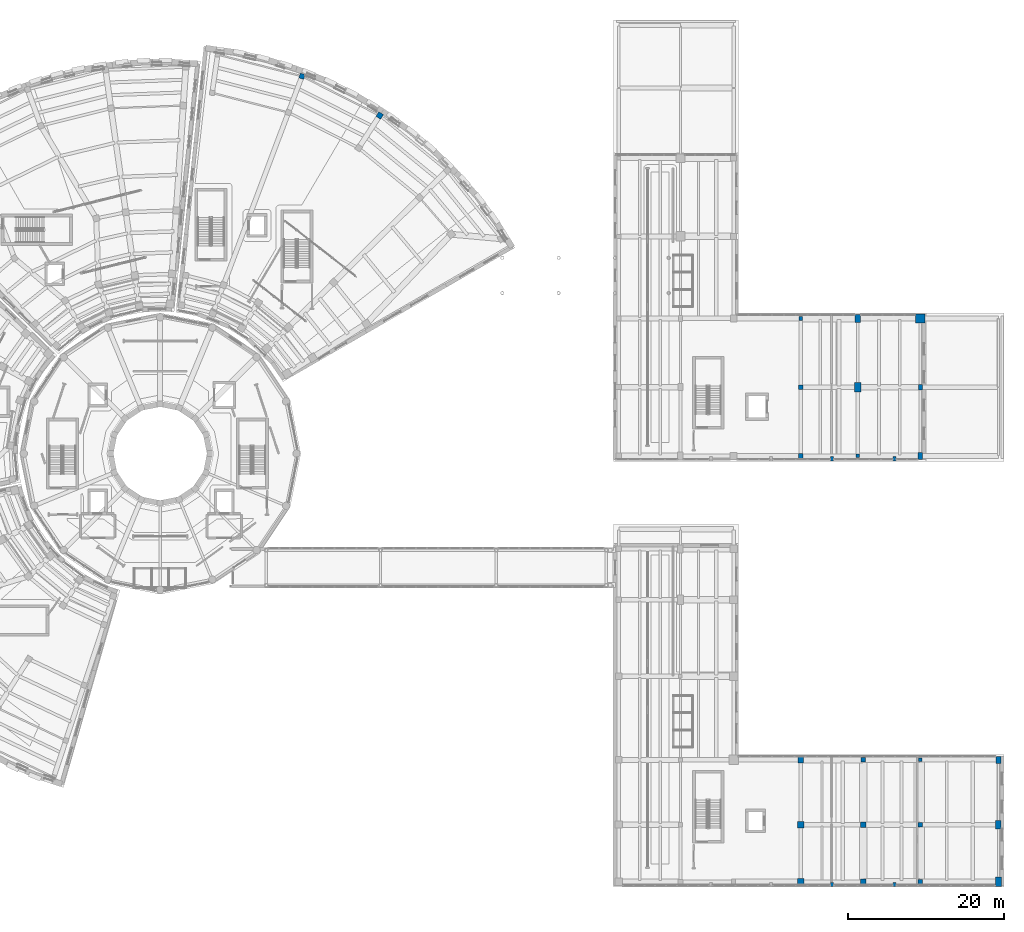
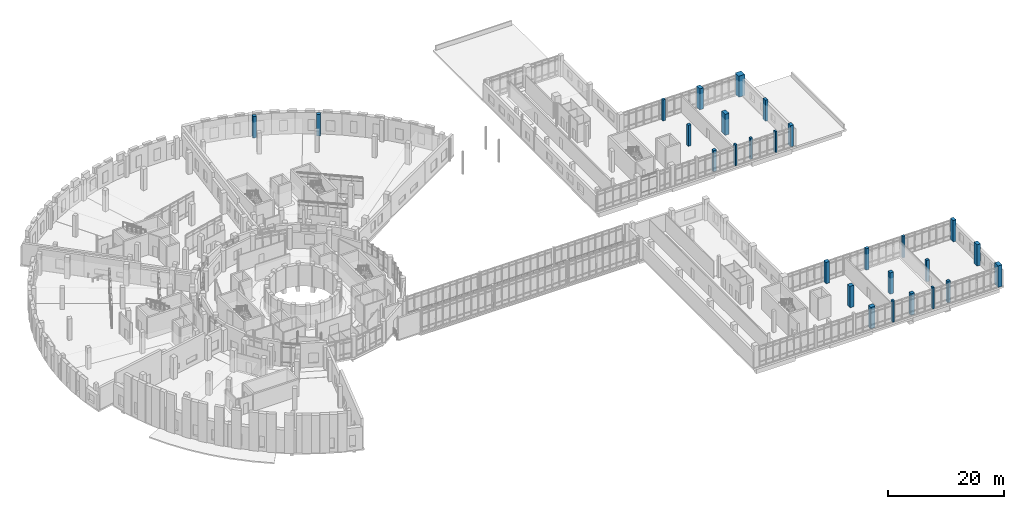
# One storey, part 8 of 89: 27 columns.
"""IFC4 building model written with IfcOpenShell, lengths in metres."""

from ifc_helpers import new_model, si_unit, direction, frame, origin, origin_2d, place, context, subcontext, project, spatial, rectangle, extrude, material, material_profile, profile_set, type_object, element, save


model = new_model("IFC4")

# Units and contexts
model_context = context("Model", 3, precision=1e-05, world=origin(), true_north=direction((0.0, 1.0)))
body_context = subcontext(model_context, "Body", "Model", "MODEL_VIEW")
ifc_project = project(units=[si_unit("LENGTHUNIT", "METRE"), si_unit("AREAUNIT", "SQUARE_METRE"), si_unit("VOLUMEUNIT", "CUBIC_METRE"), si_unit("PLANEANGLEUNIT", "RADIAN"), si_unit("MASSUNIT", "GRAM", prefix="KILO")], contexts=[model_context])

# Site, building, storey
site_placement = place(None, origin())
site = spatial("IfcSite", under=ifc_project, at=site_placement, CompositionType="ELEMENT")
building_placement = place(site_placement, origin())
building = spatial("IfcBuilding", under=site, at=building_placement, Name="Soyqirgoq Riverine Aquarium", CompositionType="ELEMENT")
storey_placement = place(building_placement, frame((0.0, 0.0, 5.39990234375)))
storey = spatial("IfcBuildingStorey", under=building, at=storey_placement, Name="L02", CompositionType="ELEMENT", Elevation=5.39990234375)

# Columns
ifc_material_1 = material(Name="Waterproof concrete C45/55", Category="concrete")
ifc_material_profile_1 = material_profile(ifc_material_1, rectangle(XDim=1.199951171875, YDim=1.199951171875, at=origin_2d()), Name="RC 1200x1200")
ifc_profile_set_1 = profile_set([ifc_material_profile_1], Name="Waterproof concrete C45/55")
column_type_1 = type_object("IfcColumnType", Name="Col_RC_1200x1200", PredefinedType="COLUMN", material=ifc_profile_set_1)
column_1_placement = place(storey_placement, frame((153.300048828125, 74.300048828125, 0.0), z_axis=(0.0, 0.0, 1.0), x_axis=(1.0, 0.0, 0.0)))
element("IfcColumn", 1, at=column_1_placement, inside=storey, type_object=column_type_1, Name="V7 Column V7-C-29 L02", PredefinedType="COLUMN", context=body_context, shape_type="SweptSolid", body=[
    extrude(rectangle(XDim=1.199951171875, YDim=1.199951171875, at=origin_2d()), origin(), (0.0, 0.0, 1.0), 4.4501953125),
])
ifc_material_2 = material(Name="Concrete C40/50", Category="concrete")
ifc_material_profile_2 = material_profile(ifc_material_2, rectangle(XDim=0.449951171875, YDim=0.449951171875, at=origin_2d()), Name="RC 450x450")
ifc_profile_set_2 = profile_set([ifc_material_profile_2], Name="Concrete C40/50")
column_type_2 = type_object("IfcColumnType", Name="Col_RC_450x450", PredefinedType="COLUMN", material=ifc_profile_set_2)
column_2_placement = place(storey_placement, frame((153.300048828125, 17.800048828125, 0.0), z_axis=(0.0, 0.0, 1.0), x_axis=(1.0, 0.0, 0.0)))
element("IfcColumn", 2, at=column_2_placement, inside=storey, type_object=column_type_2, Name="V6 Column V6-C-29 L02", PredefinedType="COLUMN", context=body_context, shape_type="SweptSolid", body=[
    extrude(rectangle(XDim=0.449951171875, YDim=0.449951171875, at=origin_2d()), origin(), (0.0, 0.0, 1.0), 4.52001953125),
])
column_3_placement = place(storey_placement, frame((145.300048828125, 56.699951171875, 0.0), z_axis=(0.0, 0.0, 1.0), x_axis=(1.0, 0.0, 0.0)))
element("IfcColumn", 3, at=column_3_placement, inside=storey, type_object=column_type_2, Name="V7 Column V7-C-24 L02", PredefinedType="COLUMN", context=body_context, shape_type="SweptSolid", body=[
    extrude(rectangle(XDim=0.449951171875, YDim=0.449951171875, at=origin_2d()), origin(), (0.0, 0.0, 1.0), 4.4501953125),
])
ifc_material_3 = material(Name="Concrete C40/50", Category="concrete")
ifc_material_profile_3 = material_profile(ifc_material_3, rectangle(XDim=0.5, YDim=0.5, at=origin_2d()), Name="RC 500x500")
ifc_profile_set_3 = profile_set([ifc_material_profile_3], Name="Concrete C40/50")
column_type_3 = type_object("IfcColumnType", Name="Col_RC_500x500", PredefinedType="COLUMN", material=ifc_profile_set_3)
column_4_placement = place(storey_placement, frame((138.0, 74.300048828125, 0.0), z_axis=(0.0, 0.0, 1.0), x_axis=(1.0, 0.0, 0.0)))
element("IfcColumn", 4, at=column_4_placement, inside=storey, type_object=column_type_3, Name="V7 Column V7-C-23 L02", PredefinedType="COLUMN", context=body_context, shape_type="SweptSolid", body=[
    extrude(rectangle(XDim=0.5, YDim=0.5, at=origin_2d()), origin(), (0.0, 0.0, 1.0), 4.4501953125),
])
ifc_material_4 = material(Name="Concrete C40/50", Category="concrete")
ifc_material_profile_4 = material_profile(ifc_material_4, rectangle(XDim=0.5, YDim=0.75, at=origin_2d()), Name="RC-COL 500x750")
ifc_profile_set_4 = profile_set([ifc_material_profile_4], Name="Concrete C40/50")
column_type_4 = type_object("IfcColumnType", Name="Col_RC_500x750", PredefinedType="COLUMN", material=ifc_profile_set_4)
column_5_placement = place(storey_placement, frame((153.300048828125, 65.5, 0.0), z_axis=(0.0, 0.0, 1.0), x_axis=(1.0, 0.0, 0.0)))
element("IfcColumn", 5, at=column_5_placement, inside=storey, type_object=column_type_4, Name="V7 Column V7-C-28 L02", PredefinedType="COLUMN", context=body_context, shape_type="SweptSolid", body=[
    extrude(rectangle(XDim=0.5, YDim=0.75, at=origin_2d()), origin(), (0.0, 0.0, 1.0), 4.4501953125),
])
ifc_material_5 = material(Name="Concrete C40/50", Category="concrete")
ifc_material_profile_5 = material_profile(ifc_material_5, rectangle(XDim=0.550048828125, YDim=0.550048828125, at=origin_2d()), Name="RC 550x550")
ifc_profile_set_5 = profile_set([ifc_material_profile_5], Name="Concrete C40/50")
column_type_5 = type_object("IfcColumnType", Name="Col_RC_550x550", PredefinedType="COLUMN", material=ifc_profile_set_5)
for number, where, z_axis, x_axis, name in (
    (6, (153.300048828125, 2.199951171875, 0.0), (0.0, 0.0, 1.0), (1.0, 0.0, 0.0), "V6 Column V6-C-27 L02"),
    (7, (153.300048828125, 9.5, 0.0), (0.0, 0.0, 1.0), (1.0, 0.0, 0.0), "V6 Column V6-C-28 L02"),
):
    element("IfcColumn", number, at=place(storey_placement, frame(where, z_axis=z_axis, x_axis=x_axis)), inside=storey, type_object=column_type_5, Name=name, PredefinedType="COLUMN", context=body_context, shape_type="SweptSolid", body=[
        extrude(rectangle(XDim=0.550048828125, YDim=0.550048828125, at=origin_2d()), origin(), (0.0, 0.0, 1.0), 4.52001953125),
    ])
column_6_placement = place(storey_placement, frame((138.0, 65.5, 0.0), z_axis=(0.0, 0.0, 1.0), x_axis=(1.0, 0.0, 0.0)))
element("IfcColumn", 8, at=column_6_placement, inside=storey, type_object=column_type_5, Name="V7 Column V7-C-22 L02", PredefinedType="COLUMN", context=body_context, shape_type="SweptSolid", body=[
    extrude(rectangle(XDim=0.550048828125, YDim=0.550048828125, at=origin_2d()), origin(), (0.0, 0.0, 1.0), 4.4501953125),
])
ifc_material_6 = material(Name="Concrete C40/50", Category="concrete")
ifc_material_profile_6 = material_profile(ifc_material_6, rectangle(XDim=0.60009765625, YDim=0.60009765625, at=origin_2d()), Name="RC 600x600")
ifc_profile_set_6 = profile_set([ifc_material_profile_6], Name="Concrete C40/50")
column_type_6 = type_object("IfcColumnType", Name="Col_RC_600x600", PredefinedType="COLUMN", material=ifc_profile_set_6)
column_7_placement = place(storey_placement, frame((146.0, 17.800048828125, 0.0), z_axis=(0.0, 0.0, 1.0), x_axis=(1.0, 0.0, 0.0)))
element("IfcColumn", 9, at=column_7_placement, inside=storey, type_object=column_type_6, Name="V6 Column V6-C-26 L02", PredefinedType="COLUMN", context=body_context, shape_type="SweptSolid", body=[
    extrude(rectangle(XDim=0.60009765625, YDim=0.60009765625, at=origin_2d()), origin(), (0.0, 0.0, 1.0), 4.52001953125),
])
column_8_placement = place(storey_placement, frame((138.0, 56.699951171875, 0.0), z_axis=(0.0, 0.0, 1.0), x_axis=(1.0, 0.0, 0.0)))
element("IfcColumn", 10, at=column_8_placement, inside=storey, type_object=column_type_6, Name="V7 Column V7-C-21 L02", PredefinedType="COLUMN", context=body_context, shape_type="SweptSolid", body=[
    extrude(rectangle(XDim=0.60009765625, YDim=0.60009765625, at=origin_2d()), origin(), (0.0, 0.0, 1.0), 4.4501953125),
])
ifc_material_7 = material(Name="Concrete C40/50", Category="concrete")
ifc_material_profile_7 = material_profile(ifc_material_7, rectangle(XDim=0.60009765625, YDim=0.89990234375, at=origin_2d()), Name="RC-COL 600x900")
ifc_profile_set_7 = profile_set([ifc_material_profile_7], Name="Concrete C40/50")
column_type_7 = type_object("IfcColumnType", Name="Col_RC_600x900", PredefinedType="COLUMN", material=ifc_profile_set_7)
column_9_placement = place(storey_placement, frame((163.300048828125, 17.800048828125, 0.0), z_axis=(0.0, 0.0, 1.0), x_axis=(1.0, 0.0, 0.0)))
element("IfcColumn", 11, at=column_9_placement, inside=storey, type_object=column_type_7, Name="V6 Column V6-C-32 L02", PredefinedType="COLUMN", context=body_context, shape_type="SweptSolid", body=[
    extrude(rectangle(XDim=0.60009765625, YDim=0.89990234375, at=origin_2d()), origin(), (0.0, 0.0, 1.0), 4.52001953125),
])
column_10_placement = place(storey_placement, frame((153.300048828125, 56.699951171875, 0.0), z_axis=(0.0, 0.0, 1.0), x_axis=(1.0, 0.0, 0.0)))
element("IfcColumn", 12, at=column_10_placement, inside=storey, type_object=column_type_7, Name="V7 Column V7-C-27 L02", PredefinedType="COLUMN", context=body_context, shape_type="SweptSolid", body=[
    extrude(rectangle(XDim=0.60009765625, YDim=0.89990234375, at=origin_2d()), origin(), (0.0, 0.0, 1.0), 4.4501953125),
])
ifc_material_8 = material(Name="Concrete C40/50", Category="concrete")
ifc_material_profile_8 = material_profile(ifc_material_8, rectangle(XDim=0.64990234375, YDim=0.64990234375, at=origin_2d()), Name="RC 650x650")
ifc_profile_set_8 = profile_set([ifc_material_profile_8], Name="Concrete C40/50")
column_type_8 = type_object("IfcColumnType", Name="Col_RC_650x650", PredefinedType="COLUMN", material=ifc_profile_set_8)
column_11_placement = place(storey_placement, frame((74.155029296875, 105.30078125, 0.0), z_axis=(0.0, 0.0, 1.0), x_axis=(0.351841648405, 0.936059535739, 0.0)))
element("IfcColumn", 13, at=column_11_placement, inside=storey, type_object=column_type_8, Name="V5 Column V5-CR5-04 L02", PredefinedType="COLUMN", context=body_context, shape_type="SweptSolid", body=[
    extrude(rectangle(XDim=0.64990234375, YDim=0.64990234375, at=origin_2d()), origin(), (0.0, 0.0, 1.0), 4.5),
])
ifc_material_9 = material(Name="Concrete C40/50", Category="concrete")
ifc_material_profile_9 = material_profile(ifc_material_9, rectangle(XDim=0.699951171875, YDim=1.050048828125, at=origin_2d()), Name="RC-COL 700x1050")
ifc_profile_set_9 = profile_set([ifc_material_profile_9], Name="Concrete C40/50")
column_type_9 = type_object("IfcColumnType", Name="Col_RC_700x1050", PredefinedType="COLUMN", material=ifc_profile_set_9)
column_12_placement = place(storey_placement, frame((163.300048828125, 9.5, 0.0), z_axis=(0.0, 0.0, 1.0), x_axis=(1.0, 0.0, 0.0)))
element("IfcColumn", 14, at=column_12_placement, inside=storey, type_object=column_type_9, Name="V6 Column V6-C-31 L02", PredefinedType="COLUMN", context=body_context, shape_type="SweptSolid", body=[
    extrude(rectangle(XDim=0.699951171875, YDim=1.050048828125, at=origin_2d()), origin(), (0.0, 0.0, 1.0), 4.52001953125),
])
column_13_placement = place(storey_placement, frame((145.300048828125, 74.300048828125, 0.0), z_axis=(0.0, 0.0, 1.0), x_axis=(1.0, 0.0, 0.0)))
element("IfcColumn", 15, at=column_13_placement, inside=storey, type_object=column_type_9, Name="V7 Column V7-C-26 L02", PredefinedType="COLUMN", context=body_context, shape_type="SweptSolid", body=[
    extrude(rectangle(XDim=0.699951171875, YDim=1.050048828125, at=origin_2d()), origin(), (0.0, 0.0, 1.0), 4.4501953125),
])
ifc_material_10 = material(Name="Concrete C40/50", Category="concrete")
ifc_material_profile_10 = material_profile(ifc_material_10, rectangle(XDim=0.699951171875, YDim=0.699951171875, at=origin_2d()), Name="RC 700x700")
ifc_profile_set_10 = profile_set([ifc_material_profile_10], Name="Concrete C40/50")
column_type_10 = type_object("IfcColumnType", Name="Col_RC_700x700", PredefinedType="COLUMN", material=ifc_profile_set_10)
column_14_placement = place(storey_placement, frame((84.103515625, 100.275390625, 0.0), z_axis=(0.0, 0.0, 1.0), x_axis=(0.544639035015, 0.838670567945, 0.0)))
element("IfcColumn", 16, at=column_14_placement, inside=storey, type_object=column_type_10, Name="V5 Column V5-CR5-03 L02", PredefinedType="COLUMN", context=body_context, shape_type="SweptSolid", body=[
    extrude(rectangle(XDim=0.699951171875, YDim=0.699951171875, at=origin_2d()), origin(), (0.0, 0.0, 1.0), 4.5),
])
for number, where, z_axis, x_axis, name in (
    (17, (146.0, 2.199951171875, 0.0), (0.0, 0.0, 1.0), (1.0, 0.0, 0.0), "V6 Column V6-C-24 L02"),
    (18, (146.0, 9.5, 0.0), (0.0, 0.0, 1.0), (1.0, 0.0, 0.0), "V6 Column V6-C-25 L02"),
):
    element("IfcColumn", number, at=place(storey_placement, frame(where, z_axis=z_axis, x_axis=x_axis)), inside=storey, type_object=column_type_10, Name=name, PredefinedType="COLUMN", context=body_context, shape_type="SweptSolid", body=[
        extrude(rectangle(XDim=0.699951171875, YDim=0.699951171875, at=origin_2d()), origin(), (0.0, 0.0, 1.0), 4.52001953125),
    ])
ifc_material_11 = material(Name="Concrete C40/50", Category="concrete")
ifc_material_profile_11 = material_profile(ifc_material_11, rectangle(XDim=0.75, YDim=0.75, at=origin_2d()), Name="RC 750x750")
ifc_profile_set_11 = profile_set([ifc_material_profile_11], Name="Concrete C40/50")
column_type_11 = type_object("IfcColumnType", Name="Col_RC_750x750", PredefinedType="COLUMN", material=ifc_profile_set_11)
column_15_placement = place(storey_placement, frame((138.0, 17.800048828125, 0.0), z_axis=(0.0, 0.0, 1.0), x_axis=(1.0, 0.0, 0.0)))
element("IfcColumn", 19, at=column_15_placement, inside=storey, type_object=column_type_11, Name="V6 Column V6-C-23 L02", PredefinedType="COLUMN", context=body_context, shape_type="SweptSolid", body=[
    extrude(rectangle(XDim=0.75, YDim=0.75, at=origin_2d()), origin(), (0.0, 0.0, 1.0), 4.52001953125),
])
ifc_material_12 = material(Name="Concrete C40/50", Category="concrete")
ifc_material_profile_12 = material_profile(ifc_material_12, rectangle(XDim=0.800048828125, YDim=1.199951171875, at=origin_2d()), Name="RC-COL 800x1200")
ifc_profile_set_12 = profile_set([ifc_material_profile_12], Name="Concrete C40/50")
column_type_12 = type_object("IfcColumnType", Name="Col_RC_800x1200", PredefinedType="COLUMN", material=ifc_profile_set_12)
column_16_placement = place(storey_placement, frame((163.300048828125, 2.199951171875, 0.0), z_axis=(0.0, 0.0, 1.0), x_axis=(1.0, 0.0, 0.0)))
element("IfcColumn", 20, at=column_16_placement, inside=storey, type_object=column_type_12, Name="V6 Column V6-C-30 L02", PredefinedType="COLUMN", context=body_context, shape_type="SweptSolid", body=[
    extrude(rectangle(XDim=0.800048828125, YDim=1.199951171875, at=origin_2d()), origin(), (0.0, 0.0, 1.0), 4.52001953125),
])
column_17_placement = place(storey_placement, frame((145.300048828125, 65.5, 0.0), z_axis=(0.0, 0.0, 1.0), x_axis=(1.0, 0.0, 0.0)))
element("IfcColumn", 21, at=column_17_placement, inside=storey, type_object=column_type_12, Name="V7 Column V7-C-25 L02", PredefinedType="COLUMN", context=body_context, shape_type="SweptSolid", body=[
    extrude(rectangle(XDim=0.800048828125, YDim=1.199951171875, at=origin_2d()), origin(), (0.0, 0.0, 1.0), 4.4501953125),
])
ifc_material_13 = material(Name="Concrete C40/50", Category="concrete")
ifc_material_profile_13 = material_profile(ifc_material_13, rectangle(XDim=0.800048828125, YDim=0.800048828125, at=origin_2d()), Name="RC 800x800")
ifc_profile_set_13 = profile_set([ifc_material_profile_13], Name="Concrete C40/50")
column_type_13 = type_object("IfcColumnType", Name="Col_RC_800x800", PredefinedType="COLUMN", material=ifc_profile_set_13)
column_18_placement = place(storey_placement, frame((138.0, 9.5, 0.0), z_axis=(0.0, 0.0, 1.0), x_axis=(1.0, 0.0, 0.0)))
element("IfcColumn", 22, at=column_18_placement, inside=storey, type_object=column_type_13, Name="V6 Column V6-C-22 L02", PredefinedType="COLUMN", context=body_context, shape_type="SweptSolid", body=[
    extrude(rectangle(XDim=0.800048828125, YDim=0.800048828125, at=origin_2d()), origin(), (0.0, 0.0, 1.0), 4.52001953125),
])
ifc_material_14 = material(Name="Concrete C40/50", Category="concrete")
ifc_material_profile_14 = material_profile(ifc_material_14, rectangle(XDim=0.85009765625, YDim=0.85009765625, at=origin_2d()), Name="RC 850x850")
ifc_profile_set_14 = profile_set([ifc_material_profile_14], Name="Concrete C40/50")
column_type_14 = type_object("IfcColumnType", Name="Col_RC_850x850", PredefinedType="COLUMN", material=ifc_profile_set_14)
column_19_placement = place(storey_placement, frame((138.0, 2.199951171875, 0.0), z_axis=(0.0, 0.0, 1.0), x_axis=(1.0, 0.0, 0.0)))
element("IfcColumn", 23, at=column_19_placement, inside=storey, type_object=column_type_14, Name="V6 Column V6-C-21 L02", PredefinedType="COLUMN", context=body_context, shape_type="SweptSolid", body=[
    extrude(rectangle(XDim=0.85009765625, YDim=0.85009765625, at=origin_2d()), origin(), (0.0, 0.0, 1.0), 4.52001953125),
])
ifc_material_15 = material(Name="Concrete C40/50", Category="concrete")
ifc_material_profile_15 = material_profile(ifc_material_15, rectangle(XDim=0.35009765625, YDim=0.550048828125, at=origin_2d()), Name="RC-PIL 350x550")
ifc_profile_set_15 = profile_set([ifc_material_profile_15], Name="Concrete C40/50")
column_type_15 = type_object("IfcColumnType", Name="Pilaster_350x550", PredefinedType="PILASTER", material=ifc_profile_set_15)
column_20_placement = place(storey_placement, frame((142.0, 1.85009765625, 0.0), z_axis=(0.0, 0.0, 1.0), x_axis=(1.0, 0.0, 0.0)))
element("IfcColumn", 24, at=column_20_placement, inside=storey, type_object=column_type_15, Name="V6 Facade Pilaster PIL-V6-05 L02", PredefinedType="PILASTER", context=body_context, shape_type="SweptSolid", body=[
    extrude(rectangle(XDim=0.35009765625, YDim=0.550048828125, at=origin_2d()), origin(), (0.0, 0.0, 1.0), 4.52001953125),
])
column_21_placement = place(storey_placement, frame((142.0, 56.35009765625, 0.0), z_axis=(0.0, 0.0, 1.0), x_axis=(1.0, 0.0, 0.0)))
element("IfcColumn", 25, at=column_21_placement, inside=storey, type_object=column_type_15, Name="V7 Facade Pilaster PIL-V7-06 L02", PredefinedType="PILASTER", context=body_context, shape_type="SweptSolid", body=[
    extrude(rectangle(XDim=0.35009765625, YDim=0.550048828125, at=origin_2d()), origin(), (0.0, 0.0, 1.0), 4.4501953125),
])
column_22_placement = place(storey_placement, frame((150.0, 1.85009765625, 0.0), z_axis=(0.0, 0.0, 1.0), x_axis=(1.0, 0.0, 0.0)))
element("IfcColumn", 26, at=column_22_placement, inside=storey, type_object=column_type_15, Name="V6 Facade Pilaster PIL-V6-07 L02", PredefinedType="PILASTER", context=body_context, shape_type="SweptSolid", body=[
    extrude(rectangle(XDim=0.35009765625, YDim=0.550048828125, at=origin_2d()), origin(), (0.0, 0.0, 1.0), 4.52001953125),
])
column_23_placement = place(storey_placement, frame((150.0, 56.35009765625, 0.0), z_axis=(0.0, 0.0, 1.0), x_axis=(1.0, 0.0, 0.0)))
element("IfcColumn", 27, at=column_23_placement, inside=storey, type_object=column_type_15, Name="V7 Facade Pilaster PIL-V7-08 L02", PredefinedType="PILASTER", context=body_context, shape_type="SweptSolid", body=[
    extrude(rectangle(XDim=0.35009765625, YDim=0.550048828125, at=origin_2d()), origin(), (0.0, 0.0, 1.0), 4.4501953125),
])

save(model, "model.ifc")
